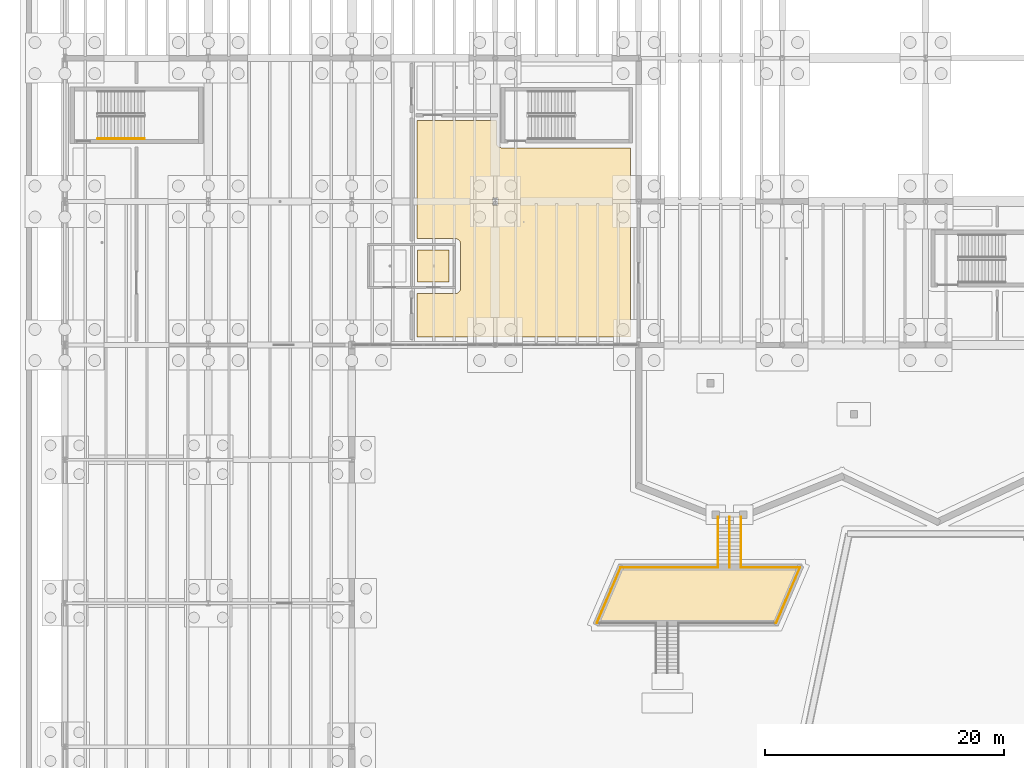
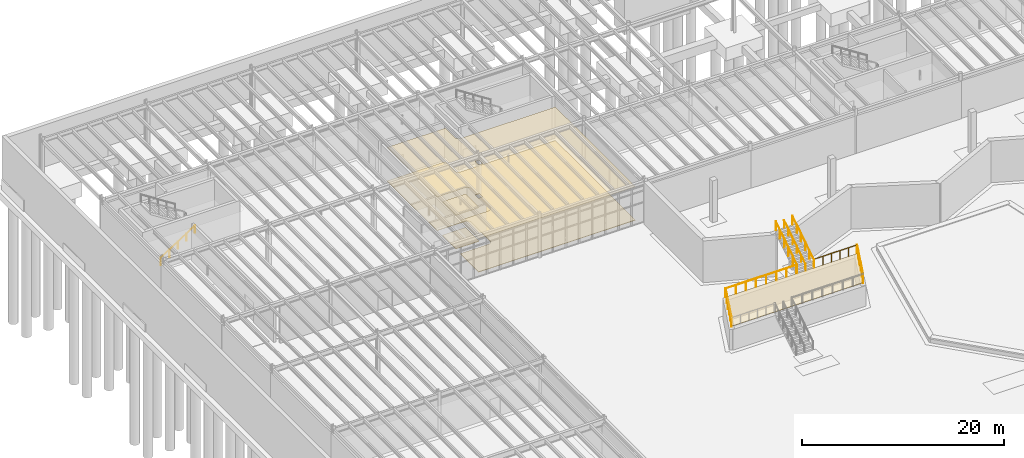
# One storey, part 54 of 67: 8 railings, 5 coverings.
"""IFC4 building model written with IfcOpenShell, lengths in metres."""

from ifc_helpers import new_model, si_unit, direction, frame, origin, origin_2d, place, context, subcontext, project, spatial, polyline, circle, outline, extrude, material, layer, layer_set, type_object, element, save


model = new_model("IFC4")

# Units and contexts
model_context = context("Model", 3, precision=1e-05, world=origin(), true_north=direction((0.0, 1.0)))
body_context = subcontext(model_context, "Body", "Model", "MODEL_VIEW")
ifc_project = project(units=[si_unit("LENGTHUNIT", "METRE"), si_unit("AREAUNIT", "SQUARE_METRE"), si_unit("VOLUMEUNIT", "CUBIC_METRE"), si_unit("PLANEANGLEUNIT", "RADIAN"), si_unit("MASSUNIT", "GRAM", prefix="KILO")], contexts=[model_context])

# Site, building, storey
site_placement = place(None, origin())
site = spatial("IfcSite", under=ifc_project, at=site_placement, CompositionType="ELEMENT")
building_placement = place(site_placement, origin())
building = spatial("IfcBuilding", under=site, at=building_placement, Name="Zlatogorsky Bluff Art Gallery", CompositionType="ELEMENT")
storey_placement = place(building_placement, frame((0.0, 0.0, -5.39990234375)))
storey = spatial("IfcBuildingStorey", under=building, at=storey_placement, Name="B1", CompositionType="ELEMENT", Elevation=-5.39990234375)

# Coverings
ifc_material_1 = material(Name="Perforated Gypsum Acoustic Board", Category="gypsum")
ifc_layer_1 = layer(ifc_material_1, 0.0400390625)
ifc_layer_set_1 = layer_set([ifc_layer_1], Name="Acoustic Gallery Ceiling CLG-01")
covering_type_1 = type_object("IfcCoveringType", Name="Acoustic Gallery Ceiling CLG-01", PredefinedType="CEILING", material=ifc_layer_set_1)
covering_1_placement = place(storey_placement, frame((0.0, 0.0, 4.0498046875)))
element("IfcCovering", 1, at=covering_1_placement, inside=storey, type_object=covering_type_1, Name="Accessible WC acoustic ceiling", PredefinedType="CEILING", context=body_context, shape_type="SweptSolid", body=[
    extrude(outline(polyline([(32.14990234375, 89.25), (29.5, 89.25), (29.5, 91.949951171875), (32.14990234375, 91.949951171875), (32.14990234375, 89.25)])), origin(), (0.0, 0.0, 1.0), 0.0400390625),
])
covering_2_placement = place(storey_placement, frame((0.0, 0.0, 4.0498046875)))
element("IfcCovering", 2, at=covering_2_placement, inside=storey, type_object=covering_type_1, Name="Climate-Controlled Art Stores acoustic ceiling", PredefinedType="CEILING", context=body_context, shape_type="SweptSolid", body=[
    extrude(outline(polyline([(32.64990234375, 88.300048828125), (32.694091796875, 88.30224609375), (32.73779296875, 88.30859375), (32.780517578125, 88.3193359375), (32.822265625, 88.334228515625), (32.862060546875, 88.35302734375), (32.89990234375, 88.375732421875), (32.935546875, 88.402099609375), (32.96826171875, 88.431884765625), (32.997802734375, 88.464599609375), (33.024169921875, 88.5), (33.046875, 88.537841796875), (33.065673828125, 88.577880859375), (33.08056640625, 88.619384765625), (33.09130859375, 88.662109375), (33.097900390625, 88.705810546875), (33.10009765625, 88.75), (33.10009765625, 92.449951171875), (33.097900390625, 92.494140625), (33.09130859375, 92.537841796875), (33.08056640625, 92.58056640625), (33.065673828125, 92.622314453125), (33.046875, 92.662109375), (33.024169921875, 92.699951171875), (32.997802734375, 92.735595703125), (32.96826171875, 92.768310546875), (32.935546875, 92.7978515625), (32.89990234375, 92.82421875), (32.862060546875, 92.846923828125), (32.822265625, 92.86572265625), (32.780517578125, 92.880615234375), (32.73779296875, 92.891357421875), (32.694091796875, 92.897705078125), (32.64990234375, 92.89990234375), (29.449951171875, 92.89990234375), (29.449951171875, 102.77490234375), (36.090087890625, 102.77490234375), (36.090087890625, 100.948974609375), (36.09228515625, 100.90478515625), (36.0986328125, 100.860595703125), (36.098876953125, 100.859619140625), (36.100830078125, 100.850341796875), (36.10107421875, 100.849609375), (36.113037109375, 100.80615234375), (36.129150390625, 100.764404296875), (36.129638671875, 100.763427734375), (36.1298828125, 100.762451171875), (36.147705078125, 100.726806640625), (36.148193359375, 100.725830078125), (36.16796875, 100.693603515625), (36.190185546875, 100.663330078125), (36.19140625, 100.661865234375), (36.224609375, 100.624755859375), (36.26171875, 100.591552734375), (36.26318359375, 100.59033203125), (36.293701171875, 100.568115234375), (36.325927734375, 100.54833984375), (36.326904296875, 100.5478515625), (36.362548828125, 100.530029296875), (36.3642578125, 100.529296875), (36.40625, 100.512939453125), (36.449462890625, 100.501220703125), (36.450439453125, 100.5009765625), (36.459716796875, 100.498779296875), (36.460693359375, 100.498779296875), (36.504638671875, 100.4921875), (36.549072265625, 100.489990234375), (47.330078125, 100.489990234375), (47.330078125, 84.669921875), (29.449951171875, 84.669921875), (29.449951171875, 88.300048828125), (32.64990234375, 88.300048828125)]), holes=[polyline([(35.77001953125, 96.330078125), (35.77001953125, 95.669921875), (36.22998046875, 95.669921875), (36.22998046875, 96.330078125), (35.77001953125, 96.330078125)])]), origin(), (0.0, 0.0, 1.0), 0.0400390625),
])

# Railings
ifc_material_2 = material(Name="Architectural Bronze and Laminated Glass", Category="glass")
railing_type_1 = type_object("IfcRailingType", Name="Gallery Guard Rail 1100mm", PredefinedType="GUARDRAIL", material=ifc_material_2)
for number, where, name in (
    (3, (54.64990234375, 65.39990234375, 2.699951171875), "ST-AMP-1 flight 2 W guard rail"),
    (4, (56.550048828125, 65.39990234375, 2.699951171875), "ST-AMP-1 flight 2 E guard rail"),
):
    element("IfcRailing", number, at=place(storey_placement, frame(where)), inside=storey, type_object=railing_type_1, Name=name, PredefinedType="GUARDRAIL", context=body_context, shape_type="SweptSolid", body=[
        extrude(circle(Radius=0.02392578125, at=origin_2d()), frame((0.0, 0.0, 1.076171875), z_axis=(0.0, 0.841194361566, 0.540732878665), x_axis=(-1.0, 0.0, 0.0)), (0.0, 0.0, 1.0), 4.9931640625),
        extrude(circle(Radius=0.02099609375, at=origin_2d()), origin(), (0.0, 0.0, 1.0), 1.052001953125),
        extrude(circle(Radius=0.02099609375, at=origin_2d()), frame((0.0, 0.840087890625, 0.5400390625)), (0.0, 0.0, 1.0), 1.052001953125),
        extrude(circle(Radius=0.02099609375, at=origin_2d()), frame((0.0, 1.68017578125, 1.080078125)), (0.0, 0.0, 1.0), 1.052001953125),
        extrude(circle(Radius=0.02099609375, at=origin_2d()), frame((0.0, 2.52001953125, 1.619873046875)), (0.0, 0.0, 1.0), 1.052001953125),
        extrude(circle(Radius=0.02099609375, at=origin_2d()), frame((0.0, 3.360107421875, 2.159912109375)), (0.0, 0.0, 1.0), 1.052001953125),
        extrude(circle(Radius=0.02099609375, at=origin_2d()), frame((0.0, 4.2001953125, 2.699951171875)), (0.0, 0.0, 1.0), 1.052001953125),
    ])
railing_1_placement = place(storey_placement, frame((59.5, 60.75, 2.699951171875)))
element("IfcRailing", 5, at=railing_1_placement, inside=storey, type_object=railing_type_1, Name="ST-AMP-1 mid-terrace guardrail 3", PredefinedType="GUARDRAIL", context=body_context, shape_type="SweptSolid", body=[
    extrude(circle(Radius=0.02392578125, at=origin_2d()), frame((0.0, 0.0, 1.076171875), z_axis=(0.395118115417, 0.918630325468, 0.0), x_axis=(-0.918630325468, 0.395118115417, 0.0)), (0.0, 0.0, 1.0), 5.061767578125),
    extrude(circle(Radius=0.02099609375, at=origin_2d()), origin(), (0.0, 0.0, 1.0), 1.052001953125),
    extrude(circle(Radius=0.02099609375, at=origin_2d()), frame((0.39990234375, 0.929931640625, 0.0)), (0.0, 0.0, 1.0), 1.052001953125),
    extrude(circle(Radius=0.02099609375, at=origin_2d()), frame((0.800048828125, 1.85986328125, 0.0)), (0.0, 0.0, 1.0), 1.052001953125),
    extrude(circle(Radius=0.02099609375, at=origin_2d()), frame((1.199951171875, 2.7900390625, 0.0)), (0.0, 0.0, 1.0), 1.052001953125),
    extrude(circle(Radius=0.02099609375, at=origin_2d()), frame((1.60009765625, 3.719970703125, 0.0)), (0.0, 0.0, 1.0), 1.052001953125),
    extrude(circle(Radius=0.02099609375, at=origin_2d()), frame((2.0, 4.64990234375, 0.0)), (0.0, 0.0, 1.0), 1.052001953125),
])
railing_2_placement = place(storey_placement, frame((61.5, 65.39990234375, 2.699951171875)))
element("IfcRailing", 6, at=railing_2_placement, inside=storey, type_object=railing_type_1, Name="ST-AMP-1 mid-terrace guardrail 4", PredefinedType="GUARDRAIL", context=body_context, shape_type="SweptSolid", body=[
    extrude(circle(Radius=0.02392578125, at=origin_2d()), frame((0.0, 0.0, 1.076171875), z_axis=(-1.0, 0.0, 0.0), x_axis=(0.0, -1.0, 0.0)), (0.0, 0.0, 1.0), 4.89990234375),
    extrude(circle(Radius=0.02099609375, at=origin_2d()), origin(), (0.0, 0.0, 1.0), 1.052001953125),
    extrude(circle(Radius=0.02099609375, at=origin_2d()), frame((-0.97998046875, 0.0, 0.0)), (0.0, 0.0, 1.0), 1.052001953125),
    extrude(circle(Radius=0.02099609375, at=origin_2d()), frame((-1.9599609375, 0.0, 0.0)), (0.0, 0.0, 1.0), 1.052001953125),
    extrude(circle(Radius=0.02099609375, at=origin_2d()), frame((-2.93994140625, 0.0, 0.0)), (0.0, 0.0, 1.0), 1.052001953125),
    extrude(circle(Radius=0.02099609375, at=origin_2d()), frame((-3.919921875, 0.0, 0.0)), (0.0, 0.0, 1.0), 1.052001953125),
    extrude(circle(Radius=0.02099609375, at=origin_2d()), frame((-4.89990234375, 0.0, 0.0)), (0.0, 0.0, 1.0), 1.052001953125),
])
railing_3_placement = place(storey_placement, frame((54.60009765625, 65.39990234375, 2.699951171875)))
element("IfcRailing", 7, at=railing_3_placement, inside=storey, type_object=railing_type_1, Name="ST-AMP-1 mid-terrace guardrail 5", PredefinedType="GUARDRAIL", context=body_context, shape_type="SweptSolid", body=[
    extrude(circle(Radius=0.02392578125, at=origin_2d()), frame((0.0, 0.0, 1.076171875), z_axis=(-1.0, 0.0, 0.0), x_axis=(0.0, -1.0, 0.0)), (0.0, 0.0, 1.0), 8.10009765625),
    extrude(circle(Radius=0.02099609375, at=origin_2d()), origin(), (0.0, 0.0, 1.0), 1.052001953125),
    extrude(circle(Radius=0.02099609375, at=origin_2d()), frame((-1.1572265625, 0.0, 0.0)), (0.0, 0.0, 1.0), 1.052001953125),
    extrude(circle(Radius=0.02099609375, at=origin_2d()), frame((-2.314208984375, 0.0, 0.0)), (0.0, 0.0, 1.0), 1.052001953125),
    extrude(circle(Radius=0.02099609375, at=origin_2d()), frame((-3.471435546875, 0.0, 0.0)), (0.0, 0.0, 1.0), 1.052001953125),
    extrude(circle(Radius=0.02099609375, at=origin_2d()), frame((-4.628662109375, 0.0, 0.0)), (0.0, 0.0, 1.0), 1.052001953125),
    extrude(circle(Radius=0.02099609375, at=origin_2d()), frame((-5.785888671875, 0.0, 0.0)), (0.0, 0.0, 1.0), 1.052001953125),
    extrude(circle(Radius=0.02099609375, at=origin_2d()), frame((-6.94287109375, 0.0, 0.0)), (0.0, 0.0, 1.0), 1.052001953125),
    extrude(circle(Radius=0.02099609375, at=origin_2d()), frame((-8.10009765625, 0.0, 0.0)), (0.0, 0.0, 1.0), 1.052001953125),
])
railing_4_placement = place(storey_placement, frame((46.5, 65.39990234375, 2.699951171875)))
element("IfcRailing", 8, at=railing_4_placement, inside=storey, type_object=railing_type_1, Name="ST-AMP-1 mid-terrace guardrail 6", PredefinedType="GUARDRAIL", context=body_context, shape_type="SweptSolid", body=[
    extrude(circle(Radius=0.02392578125, at=origin_2d()), frame((0.0, 0.0, 1.076171875), z_axis=(-0.395118115417, -0.918630325468, 0.0), x_axis=(0.918630325468, -0.395118115417, 0.0)), (0.0, 0.0, 1.0), 5.061767578125),
    extrude(circle(Radius=0.02099609375, at=origin_2d()), origin(), (0.0, 0.0, 1.0), 1.052001953125),
    extrude(circle(Radius=0.02099609375, at=origin_2d()), frame((-0.39990234375, -0.929931640625, 0.0)), (0.0, 0.0, 1.0), 1.052001953125),
    extrude(circle(Radius=0.02099609375, at=origin_2d()), frame((-0.800048828125, -1.85986328125, 0.0)), (0.0, 0.0, 1.0), 1.052001953125),
    extrude(circle(Radius=0.02099609375, at=origin_2d()), frame((-1.199951171875, -2.7900390625, 0.0)), (0.0, 0.0, 1.0), 1.052001953125),
    extrude(circle(Radius=0.02099609375, at=origin_2d()), frame((-1.60009765625, -3.719970703125, 0.0)), (0.0, 0.0, 1.0), 1.052001953125),
    extrude(circle(Radius=0.02099609375, at=origin_2d()), frame((-2.0, -4.64990234375, 0.0)), (0.0, 0.0, 1.0), 1.052001953125),
])

# Covering
ifc_material_3 = material(Name="Flamed Karelian Granite and Red Porphyry Charbagh Paving", Category="masonry")
ifc_layer_2 = layer(ifc_material_3, 0.06005859375)
ifc_layer_set_2 = layer_set([ifc_layer_2], Name="Granite Plaza Paving PAV-01")
covering_type_2 = type_object("IfcCoveringType", Name="Granite Plaza Paving PAV-01", PredefinedType="FLOORING", material=ifc_layer_set_2)
covering_3_placement = place(storey_placement, frame((0.0, 0.0, 2.699951171875)))
element("IfcCovering", 9, at=covering_3_placement, inside=storey, type_object=covering_type_2, Name="Stepped mid-terrace stone paving WMID (-2.70m)", PredefinedType="FLOORING", context=body_context, shape_type="SweptSolid", body=[
    extrude(outline(polyline([(44.5, 60.75), (59.5, 60.75), (61.5, 65.39990234375), (46.5, 65.39990234375), (44.5, 60.75)])), origin(), (0.0, 0.0, 1.0), 0.050048828125),
])

# Railings
ifc_material_4 = material(Name="Brushed Stainless Steel", Category="steel")
railing_type_2 = type_object("IfcRailingType", Name="Stair Pitch Handrail 900mm", PredefinedType="HANDRAIL", material=ifc_material_4)
railing_5_placement = place(storey_placement, frame((2.75, 101.25, 0.179931640625)))
element("IfcRailing", 10, at=railing_5_placement, inside=storey, type_object=railing_type_2, Name="B1 ST-05 stair handrail 1", PredefinedType="HANDRAIL", context=body_context, shape_type="SweptSolid", body=[
    extrude(circle(Radius=0.02392578125, at=origin_2d()), frame((0.0, 0.0, 0.8759765625), z_axis=(0.841171666519, 0.0, 0.540768182723), x_axis=(0.0, 1.0, 0.0)), (0.0, 0.0, 1.0), 4.66015625),
    extrude(circle(Radius=0.02099609375, at=origin_2d()), origin(), (0.0, 0.0, 1.0), 0.851806640625),
    extrude(circle(Radius=0.02099609375, at=origin_2d()), frame((0.97998046875, 0.0, 0.6298828125)), (0.0, 0.0, 1.0), 0.851806640625),
    extrude(circle(Radius=0.02099609375, at=origin_2d()), frame((1.9599609375, 0.0, 1.260009765625)), (0.0, 0.0, 1.0), 0.851806640625),
    extrude(circle(Radius=0.02099609375, at=origin_2d()), frame((2.93994140625, 0.0, 1.89013671875)), (0.0, 0.0, 1.0), 0.851806640625),
    extrude(circle(Radius=0.02099609375, at=origin_2d()), frame((3.919921875, 0.0, 2.52001953125)), (0.0, 0.0, 1.0), 0.851806640625),
])
railing_6_placement = place(storey_placement, frame((55.60009765625, 65.39990234375, 2.699951171875)))
element("IfcRailing", 11, at=railing_6_placement, inside=storey, type_object=railing_type_2, Name="ST-AMP-1 flight 2 central handrail", PredefinedType="HANDRAIL", context=body_context, shape_type="SweptSolid", body=[
    extrude(circle(Radius=0.02392578125, at=origin_2d()), frame((0.0, 0.0, 0.8759765625), z_axis=(0.0, 0.841194361566, 0.540732878665), x_axis=(-1.0, 0.0, 0.0)), (0.0, 0.0, 1.0), 4.9931640625),
    extrude(circle(Radius=0.02099609375, at=origin_2d()), origin(), (0.0, 0.0, 1.0), 0.851806640625),
    extrude(circle(Radius=0.02099609375, at=origin_2d()), frame((0.0, 0.840087890625, 0.5400390625)), (0.0, 0.0, 1.0), 0.851806640625),
    extrude(circle(Radius=0.02099609375, at=origin_2d()), frame((0.0, 1.68017578125, 1.080078125)), (0.0, 0.0, 1.0), 0.851806640625),
    extrude(circle(Radius=0.02099609375, at=origin_2d()), frame((0.0, 2.52001953125, 1.619873046875)), (0.0, 0.0, 1.0), 0.851806640625),
    extrude(circle(Radius=0.02099609375, at=origin_2d()), frame((0.0, 3.360107421875, 2.159912109375)), (0.0, 0.0, 1.0), 0.851806640625),
    extrude(circle(Radius=0.02099609375, at=origin_2d()), frame((0.0, 4.2001953125, 2.699951171875)), (0.0, 0.0, 1.0), 0.851806640625),
])

# Coverings
ifc_material_5 = material(Name="Polished Ural Marble Terrazzo", Category="masonry")
ifc_layer_3 = layer(ifc_material_5, 0.050048828125)
ifc_layer_set_3 = layer_set([ifc_layer_3], Name="Terrazzo Gallery Flooring FLR-01")
covering_type_3 = type_object("IfcCoveringType", Name="Terrazzo Gallery Flooring FLR-01", PredefinedType="FLOORING", material=ifc_layer_set_3)
covering_4_placement = place(storey_placement, origin())
element("IfcCovering", 12, at=covering_4_placement, inside=storey, type_object=covering_type_3, Name="Accessible WC terrazzo floor finish", PredefinedType="FLOORING", context=body_context, shape_type="SweptSolid", body=[
    extrude(outline(polyline([(32.14990234375, 89.25), (29.5, 89.25), (29.5, 91.949951171875), (32.14990234375, 91.949951171875), (32.14990234375, 89.25)])), origin(), (0.0, 0.0, 1.0), 0.0498046875),
])
covering_5_placement = place(storey_placement, origin())
element("IfcCovering", 13, at=covering_5_placement, inside=storey, type_object=covering_type_3, Name="Climate-Controlled Art Stores terrazzo floor finish", PredefinedType="FLOORING", context=body_context, shape_type="SweptSolid", body=[
    extrude(outline(polyline([(32.64990234375, 88.300048828125), (32.694091796875, 88.30224609375), (32.73779296875, 88.30859375), (32.780517578125, 88.3193359375), (32.822265625, 88.334228515625), (32.862060546875, 88.35302734375), (32.89990234375, 88.375732421875), (32.935546875, 88.402099609375), (32.96826171875, 88.431884765625), (32.997802734375, 88.464599609375), (33.024169921875, 88.5), (33.046875, 88.537841796875), (33.065673828125, 88.577880859375), (33.08056640625, 88.619384765625), (33.09130859375, 88.662109375), (33.097900390625, 88.705810546875), (33.10009765625, 88.75), (33.10009765625, 92.449951171875), (33.097900390625, 92.494140625), (33.09130859375, 92.537841796875), (33.08056640625, 92.58056640625), (33.065673828125, 92.622314453125), (33.046875, 92.662109375), (33.024169921875, 92.699951171875), (32.997802734375, 92.735595703125), (32.96826171875, 92.768310546875), (32.935546875, 92.7978515625), (32.89990234375, 92.82421875), (32.862060546875, 92.846923828125), (32.822265625, 92.86572265625), (32.780517578125, 92.880615234375), (32.73779296875, 92.891357421875), (32.694091796875, 92.897705078125), (32.64990234375, 92.89990234375), (29.449951171875, 92.89990234375), (29.449951171875, 102.77490234375), (36.090087890625, 102.77490234375), (36.090087890625, 100.948974609375), (36.09228515625, 100.90478515625), (36.0986328125, 100.860595703125), (36.098876953125, 100.859619140625), (36.100830078125, 100.850341796875), (36.10107421875, 100.849609375), (36.113037109375, 100.80615234375), (36.129150390625, 100.764404296875), (36.129638671875, 100.763427734375), (36.1298828125, 100.762451171875), (36.147705078125, 100.726806640625), (36.148193359375, 100.725830078125), (36.16796875, 100.693603515625), (36.190185546875, 100.663330078125), (36.19140625, 100.661865234375), (36.224609375, 100.624755859375), (36.26171875, 100.591552734375), (36.26318359375, 100.59033203125), (36.293701171875, 100.568115234375), (36.325927734375, 100.54833984375), (36.326904296875, 100.5478515625), (36.362548828125, 100.530029296875), (36.3642578125, 100.529296875), (36.40625, 100.512939453125), (36.449462890625, 100.501220703125), (36.450439453125, 100.5009765625), (36.459716796875, 100.498779296875), (36.460693359375, 100.498779296875), (36.504638671875, 100.4921875), (36.549072265625, 100.489990234375), (47.330078125, 100.489990234375), (47.330078125, 84.669921875), (29.449951171875, 84.669921875), (29.449951171875, 88.300048828125), (32.64990234375, 88.300048828125)]), holes=[polyline([(35.77001953125, 96.330078125), (35.77001953125, 95.669921875), (36.22998046875, 95.669921875), (36.22998046875, 96.330078125), (35.77001953125, 96.330078125)])]), origin(), (0.0, 0.0, 1.0), 0.0498046875),
])

save(model, "model.ifc")
